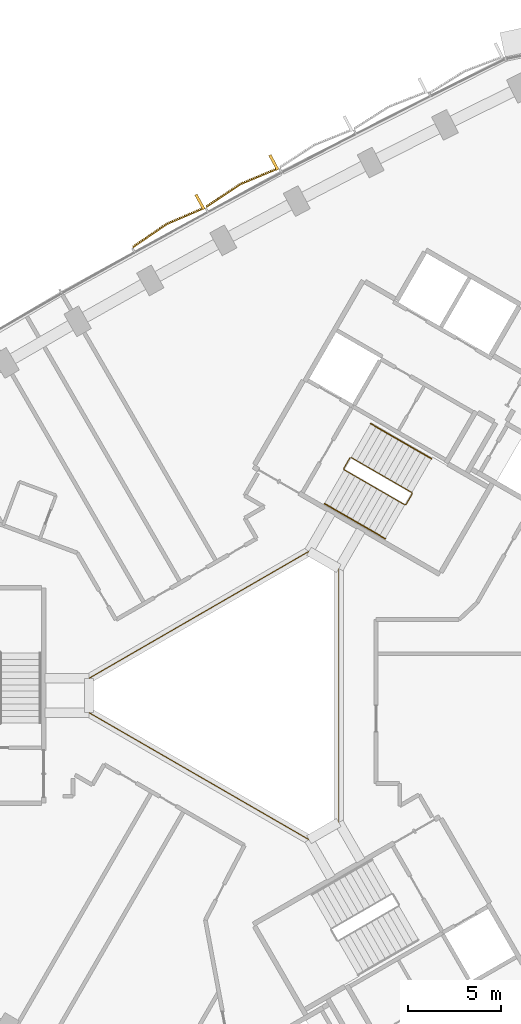
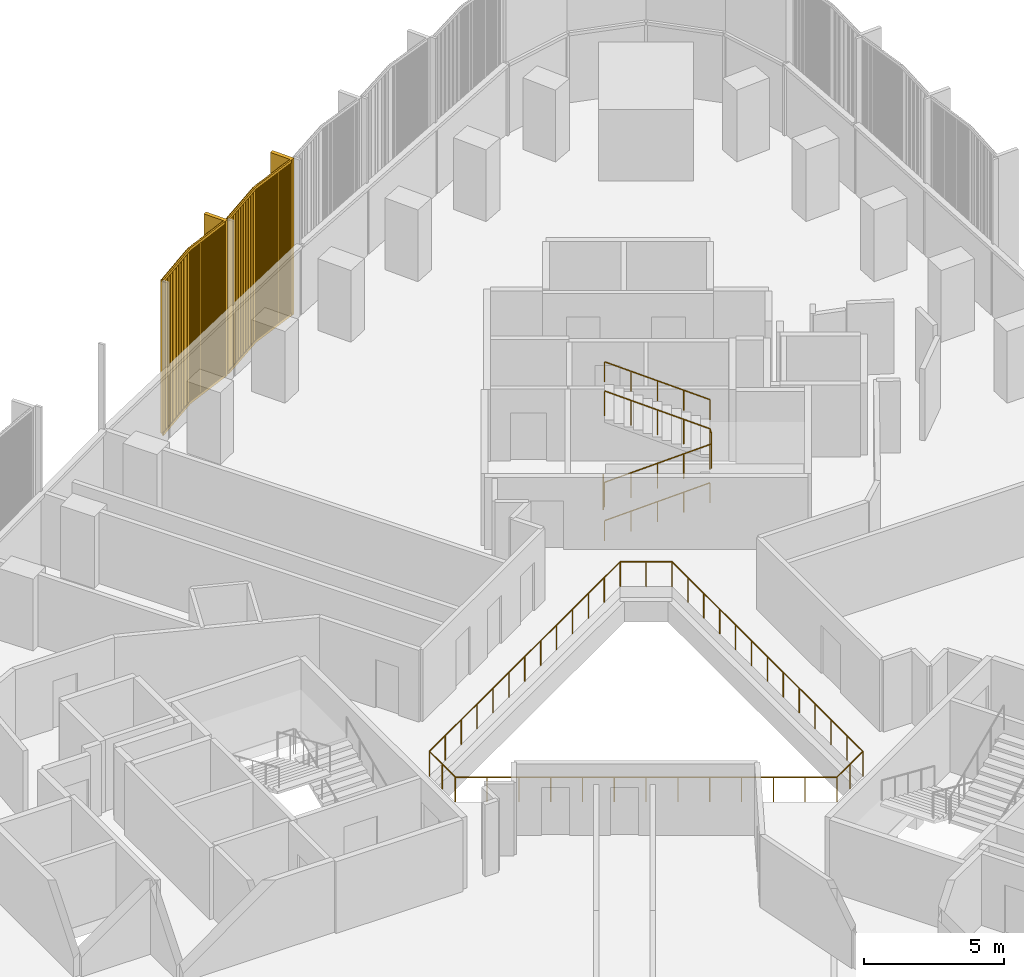
# One storey, part 14 of 15: 4 railings, 2 coverings.
"""IFC4 building model written with IfcOpenShell, lengths in metres."""

from ifc_helpers import new_model, si_unit, direction, frame, frame_2d, origin, origin_2d, place, context, subcontext, project, spatial, rectangle, circle, extrude, source, transform, mapped, material, type_object, element, save


model = new_model("IFC4")

# Units and contexts
model_context = context("Model", 3, precision=1e-05, world=origin(), true_north=direction((0.0, 1.0)))
body_context = subcontext(model_context, "Body", "Model", "MODEL_VIEW")
ifc_project = project(units=[si_unit("LENGTHUNIT", "METRE"), si_unit("AREAUNIT", "SQUARE_METRE"), si_unit("VOLUMEUNIT", "CUBIC_METRE"), si_unit("PLANEANGLEUNIT", "RADIAN"), si_unit("MASSUNIT", "GRAM", prefix="KILO")], contexts=[model_context])

# Site, building, storey
site_placement = place(None, origin())
site = spatial("IfcSite", under=ifc_project, at=site_placement, CompositionType="ELEMENT")
building_placement = place(site_placement, origin())
building = spatial("IfcBuilding", under=site, at=building_placement, Name="Tamra Quay Hotel Tower", CompositionType="ELEMENT")
storey_placement = place(building_placement, frame((0.0, 0.0, 67.39990234375)))
storey = spatial("IfcBuildingStorey", under=building, at=storey_placement, Name="L15", CompositionType="ELEMENT", Elevation=67.39990234375)

# Railings
ifc_material_1 = material(Name="Guard atrium edge 1100")
railing_type_1 = type_object("IfcRailingType", Name="Guard atrium edge 1100", PredefinedType="GUARDRAIL", material=ifc_material_1)
railing_1_placement = place(storey_placement, frame((5.0, -6.81298828125, 0.0)))
element("IfcRailing", 1, at=railing_1_placement, inside=storey, type_object=railing_type_1, Name="G-A", PredefinedType="GUARDRAIL", context=body_context, shape_type="SweptSolid", body=[
    extrude(circle(Radius=0.02392578125, at=origin_2d()), frame((0.0, 0.0, 1.076171875), z_axis=(-0.866194386982, -0.499707198227, 0.0), x_axis=(0.499707198227, -0.866194386982, 0.0)), (0.0, 0.0, 1.0), 1.84716796875),
    extrude(circle(Radius=0.02392578125, at=origin_2d()), frame((-1.60009765625, -0.923095703125, 1.076171875), z_axis=(-0.866044747976, 0.49996649338, 0.0), x_axis=(-0.49996649338, -0.866044747976, 0.0)), (0.0, 0.0, 1.0), 13.625),
    extrude(circle(Radius=0.02392578125, at=origin_2d()), frame((-13.39990234375, 5.888916015625, 1.076171875), z_axis=(0.0, 1.0, 0.0), x_axis=(-1.0, 0.0, 0.0)), (0.0, 0.0, 1.0), 1.84814453125),
    extrude(circle(Radius=0.02392578125, at=origin_2d()), frame((-13.39990234375, 7.737060546875, 1.076171875), z_axis=(0.866044747976, 0.49996649338, 0.0), x_axis=(-0.49996649338, 0.866044747976, 0.0)), (0.0, 0.0, 1.0), 13.625),
    extrude(circle(Radius=0.02392578125, at=origin_2d()), frame((-1.60009765625, 14.549072265625, 1.076171875), z_axis=(0.866194386982, -0.499707198227, 0.0), x_axis=(0.499707198227, 0.866194386982, 0.0)), (0.0, 0.0, 1.0), 1.84716796875),
    extrude(circle(Radius=0.02392578125, at=origin_2d()), frame((0.0, 13.6259765625, 1.076171875), z_axis=(0.0, -1.0, 0.0), x_axis=(1.0, 0.0, 0.0)), (0.0, 0.0, 1.0), 13.6259765625),
    extrude(circle(Radius=0.02099609375, at=origin_2d()), origin(), (0.0, 0.0, 1.0), 1.052001953125),
    extrude(circle(Radius=0.02099609375, at=origin_2d()), frame((-0.800048828125, -0.46142578125, 0.0)), (0.0, 0.0, 1.0), 1.052001953125),
    extrude(circle(Radius=0.02099609375, at=origin_2d()), frame((-1.60009765625, -0.923095703125, 0.0)), (0.0, 0.0, 1.0), 1.052001953125),
    extrude(circle(Radius=0.02099609375, at=origin_2d()), frame((-2.58349609375, -0.35546875, 0.0)), (0.0, 0.0, 1.0), 1.052001953125),
    extrude(circle(Radius=0.02099609375, at=origin_2d()), frame((-3.566650390625, 0.212158203125, 0.0)), (0.0, 0.0, 1.0), 1.052001953125),
    extrude(circle(Radius=0.02099609375, at=origin_2d()), frame((-4.550048828125, 0.77978515625, 0.0)), (0.0, 0.0, 1.0), 1.052001953125),
    extrude(circle(Radius=0.02099609375, at=origin_2d()), frame((-5.533447265625, 1.34765625, 0.0)), (0.0, 0.0, 1.0), 1.052001953125),
    extrude(circle(Radius=0.02099609375, at=origin_2d()), frame((-6.5166015625, 1.915283203125, 0.0)), (0.0, 0.0, 1.0), 1.052001953125),
    extrude(circle(Radius=0.02099609375, at=origin_2d()), frame((-7.5, 2.48291015625, 0.0)), (0.0, 0.0, 1.0), 1.052001953125),
    extrude(circle(Radius=0.02099609375, at=origin_2d()), frame((-8.4833984375, 3.050537109375, 0.0)), (0.0, 0.0, 1.0), 1.052001953125),
    extrude(circle(Radius=0.02099609375, at=origin_2d()), frame((-9.466552734375, 3.6181640625, 0.0)), (0.0, 0.0, 1.0), 1.052001953125),
    extrude(circle(Radius=0.02099609375, at=origin_2d()), frame((-10.449951171875, 4.18603515625, 0.0)), (0.0, 0.0, 1.0), 1.052001953125),
    extrude(circle(Radius=0.02099609375, at=origin_2d()), frame((-11.433349609375, 4.753662109375, 0.0)), (0.0, 0.0, 1.0), 1.052001953125),
    extrude(circle(Radius=0.02099609375, at=origin_2d()), frame((-12.41650390625, 5.3212890625, 0.0)), (0.0, 0.0, 1.0), 1.052001953125),
    extrude(circle(Radius=0.02099609375, at=origin_2d()), frame((-13.39990234375, 5.888916015625, 0.0)), (0.0, 0.0, 1.0), 1.052001953125),
    extrude(circle(Radius=0.02099609375, at=origin_2d()), frame((-13.39990234375, 6.81298828125, 0.0)), (0.0, 0.0, 1.0), 1.052001953125),
    extrude(circle(Radius=0.02099609375, at=origin_2d()), frame((-13.39990234375, 7.737060546875, 0.0)), (0.0, 0.0, 1.0), 1.052001953125),
    extrude(circle(Radius=0.02099609375, at=origin_2d()), frame((-12.41650390625, 8.3046875, 0.0)), (0.0, 0.0, 1.0), 1.052001953125),
    extrude(circle(Radius=0.02099609375, at=origin_2d()), frame((-11.433349609375, 8.872314453125, 0.0)), (0.0, 0.0, 1.0), 1.052001953125),
    extrude(circle(Radius=0.02099609375, at=origin_2d()), frame((-10.449951171875, 9.43994140625, 0.0)), (0.0, 0.0, 1.0), 1.052001953125),
    extrude(circle(Radius=0.02099609375, at=origin_2d()), frame((-9.466552734375, 10.0078125, 0.0)), (0.0, 0.0, 1.0), 1.052001953125),
    extrude(circle(Radius=0.02099609375, at=origin_2d()), frame((-8.4833984375, 10.575439453125, 0.0)), (0.0, 0.0, 1.0), 1.052001953125),
    extrude(circle(Radius=0.02099609375, at=origin_2d()), frame((-7.5, 11.14306640625, 0.0)), (0.0, 0.0, 1.0), 1.052001953125),
    extrude(circle(Radius=0.02099609375, at=origin_2d()), frame((-6.5166015625, 11.710693359375, 0.0)), (0.0, 0.0, 1.0), 1.052001953125),
    extrude(circle(Radius=0.02099609375, at=origin_2d()), frame((-5.533447265625, 12.2783203125, 0.0)), (0.0, 0.0, 1.0), 1.052001953125),
    extrude(circle(Radius=0.02099609375, at=origin_2d()), frame((-4.550048828125, 12.84619140625, 0.0)), (0.0, 0.0, 1.0), 1.052001953125),
    extrude(circle(Radius=0.02099609375, at=origin_2d()), frame((-3.566650390625, 13.413818359375, 0.0)), (0.0, 0.0, 1.0), 1.052001953125),
    extrude(circle(Radius=0.02099609375, at=origin_2d()), frame((-2.58349609375, 13.9814453125, 0.0)), (0.0, 0.0, 1.0), 1.052001953125),
    extrude(circle(Radius=0.02099609375, at=origin_2d()), frame((-1.60009765625, 14.549072265625, 0.0)), (0.0, 0.0, 1.0), 1.052001953125),
    extrude(circle(Radius=0.02099609375, at=origin_2d()), frame((-0.800048828125, 14.08740234375, 0.0)), (0.0, 0.0, 1.0), 1.052001953125),
    extrude(circle(Radius=0.02099609375, at=origin_2d()), frame((0.0, 13.6259765625, 0.0)), (0.0, 0.0, 1.0), 1.052001953125),
    extrude(circle(Radius=0.02099609375, at=origin_2d()), frame((0.0, 12.490478515625, 0.0)), (0.0, 0.0, 1.0), 1.052001953125),
    extrude(circle(Radius=0.02099609375, at=origin_2d()), frame((0.0, 11.35498046875, 0.0)), (0.0, 0.0, 1.0), 1.052001953125),
    extrude(circle(Radius=0.02099609375, at=origin_2d()), frame((0.0, 10.219482421875, 0.0)), (0.0, 0.0, 1.0), 1.052001953125),
    extrude(circle(Radius=0.02099609375, at=origin_2d()), frame((0.0, 9.083984375, 0.0)), (0.0, 0.0, 1.0), 1.052001953125),
    extrude(circle(Radius=0.02099609375, at=origin_2d()), frame((0.0, 7.948486328125, 0.0)), (0.0, 0.0, 1.0), 1.052001953125),
    extrude(circle(Radius=0.02099609375, at=origin_2d()), frame((0.0, 6.81298828125, 0.0)), (0.0, 0.0, 1.0), 1.052001953125),
    extrude(circle(Radius=0.02099609375, at=origin_2d()), frame((0.0, 5.677490234375, 0.0)), (0.0, 0.0, 1.0), 1.052001953125),
    extrude(circle(Radius=0.02099609375, at=origin_2d()), frame((0.0, 4.5419921875, 0.0)), (0.0, 0.0, 1.0), 1.052001953125),
    extrude(circle(Radius=0.02099609375, at=origin_2d()), frame((0.0, 3.406494140625, 0.0)), (0.0, 0.0, 1.0), 1.052001953125),
    extrude(circle(Radius=0.02099609375, at=origin_2d()), frame((0.0, 2.27099609375, 0.0)), (0.0, 0.0, 1.0), 1.052001953125),
    extrude(circle(Radius=0.02099609375, at=origin_2d()), frame((0.0, 1.135498046875, 0.0)), (0.0, 0.0, 1.0), 1.052001953125),
])
ifc_material_2 = material(Name="Stair guard 1100")
railing_type_2 = type_object("IfcRailingType", Name="Stair guard 1100", PredefinedType="GUARDRAIL", material=ifc_material_2)
railing_2_placement = place(storey_placement, frame((5.595458984375, 12.751953125, 0.0)))
element("IfcRailing", 2, at=railing_2_placement, inside=storey, type_object=railing_type_2, Name="GR", PredefinedType="GUARDRAIL", context=body_context, shape_type="SweptSolid", body=[
    extrude(circle(Radius=0.02392578125, at=origin_2d()), frame((0.0, 0.0, 1.076171875), z_axis=(-0.499765215335, -0.866160914346, 0.0), x_axis=(0.866160914346, -0.499765215335, 0.0)), (0.0, 0.0, 1.0), 0.658935546875),
    extrude(circle(Radius=0.02392578125, at=origin_2d()), frame((-0.329345703125, -0.57080078125, 1.076171875), z_axis=(0.110378772244, -0.410609032747, 0.905105932399), x_axis=(0.965715946433, 0.259601060869, 0.0)), (0.0, 0.0, 1.0), 0.165771484375),
    extrude(circle(Radius=0.02392578125, at=origin_2d()), frame((-0.31103515625, -0.638916015625, 1.22607421875), z_axis=(0.793078462799, -0.457933869594, 0.401650498471), x_axis=(0.500040788363, 0.866001853331, 0.0)), (0.0, 0.0, 1.0), 4.10791015625),
    extrude(circle(Radius=0.02392578125, at=origin_2d()), frame((2.94677734375, -2.52001953125, 2.8759765625), z_axis=(0.965948051503, 0.258736085224, 0.0), x_axis=(-0.258736085224, 0.965948051503, 0.0)), (0.0, 0.0, 1.0), 0.07080078125),
    extrude(circle(Radius=0.02392578125, at=origin_2d()), frame((3.01513671875, -2.501708984375, 2.8759765625), z_axis=(0.500043078269, 0.866000531106, 0.0), x_axis=(-0.866000531106, 0.500043078269, 0.0)), (0.0, 0.0, 1.0), 0.6591796875),
    extrude(circle(Radius=0.02392578125, at=origin_2d()), frame((3.3447265625, -1.930908203125, 2.8759765625), z_axis=(-0.110378772244, 0.410609032747, 0.905105932399), x_axis=(-0.965715946433, -0.259601060869, 0.0)), (0.0, 0.0, 1.0), 0.165771484375),
    extrude(circle(Radius=0.02392578125, at=origin_2d()), frame((3.326416015625, -1.86279296875, 3.0263671875), z_axis=(-0.793100512587, 0.457912285461, 0.401631567183), x_axis=(-0.500012686397, -0.866018079166, 0.0)), (0.0, 0.0, 1.0), 4.10791015625),
    extrude(circle(Radius=0.02099609375, at=origin_2d()), origin(), (0.0, 0.0, 1.0), 1.052001953125),
    extrude(circle(Radius=0.02099609375, at=origin_2d()), frame((-0.329345703125, -0.57080078125, 0.0)), (0.0, 0.0, 1.0), 1.052001953125),
    extrude(circle(Radius=0.02099609375, at=origin_2d()), frame((-0.31103515625, -0.638916015625, 0.150146484375)), (0.0, 0.0, 1.0), 1.052001953125),
    extrude(circle(Radius=0.02099609375, at=origin_2d()), frame((0.50341796875, -1.109130859375, 0.5625)), (0.0, 0.0, 1.0), 1.052001953125),
    extrude(circle(Radius=0.02099609375, at=origin_2d()), frame((1.31787109375, -1.57958984375, 0.97509765625)), (0.0, 0.0, 1.0), 1.052001953125),
    extrude(circle(Radius=0.02099609375, at=origin_2d()), frame((2.13232421875, -2.0498046875, 1.3876953125)), (0.0, 0.0, 1.0), 1.052001953125),
    extrude(circle(Radius=0.02099609375, at=origin_2d()), frame((2.94677734375, -2.52001953125, 1.800048828125)), (0.0, 0.0, 1.0), 1.052001953125),
    extrude(circle(Radius=0.02099609375, at=origin_2d()), frame((3.01513671875, -2.501708984375, 1.800048828125)), (0.0, 0.0, 1.0), 1.052001953125),
    extrude(circle(Radius=0.02099609375, at=origin_2d()), frame((3.3447265625, -1.930908203125, 1.800048828125)), (0.0, 0.0, 1.0), 1.052001953125),
    extrude(circle(Radius=0.02099609375, at=origin_2d()), frame((3.326416015625, -1.86279296875, 1.9501953125)), (0.0, 0.0, 1.0), 1.052001953125),
    extrude(circle(Radius=0.02099609375, at=origin_2d()), frame((2.511962890625, -1.392578125, 2.36279296875)), (0.0, 0.0, 1.0), 1.052001953125),
    extrude(circle(Radius=0.02099609375, at=origin_2d()), frame((1.697265625, -0.92236328125, 2.775146484375)), (0.0, 0.0, 1.0), 1.052001953125),
    extrude(circle(Radius=0.02099609375, at=origin_2d()), frame((0.8828125, -0.451904296875, 3.1875)), (0.0, 0.0, 1.0), 1.052001953125),
    extrude(circle(Radius=0.02099609375, at=origin_2d()), frame((0.068359375, 0.018310546875, 3.60009765625)), (0.0, 0.0, 1.0), 1.052001953125),
])
ifc_material_3 = material(Name="Stair handrail 900")
railing_type_3 = type_object("IfcRailingType", Name="Stair handrail 900", PredefinedType="HANDRAIL", material=ifc_material_3)
railing_3_placement = place(storey_placement, frame((4.234375, 10.294189453125, 0.150146484375)))
element("IfcRailing", 3, at=railing_3_placement, inside=storey, type_object=railing_type_3, Name="HR", PredefinedType="HANDRAIL", context=body_context, shape_type="SweptSolid", body=[
    extrude(circle(Radius=0.02392578125, at=origin_2d()), frame((0.0, 0.0, 0.8759765625), z_axis=(0.793122095483, -0.45786531462, 0.401642496911), x_axis=(0.499964013922, 0.86604617936, 0.0)), (0.0, 0.0, 1.0), 4.10791015625),
    extrude(circle(Radius=0.02099609375, at=origin_2d()), origin(), (0.0, 0.0, 1.0), 0.851806640625),
    extrude(circle(Radius=0.02099609375, at=origin_2d()), frame((0.814453125, -0.47021484375, 0.41259765625)), (0.0, 0.0, 1.0), 0.851806640625),
    extrude(circle(Radius=0.02099609375, at=origin_2d()), frame((1.62890625, -0.9404296875, 0.824951171875)), (0.0, 0.0, 1.0), 0.851806640625),
    extrude(circle(Radius=0.02099609375, at=origin_2d()), frame((2.443603515625, -1.41064453125, 1.2373046875)), (0.0, 0.0, 1.0), 0.851806640625),
    extrude(circle(Radius=0.02099609375, at=origin_2d()), frame((3.258056640625, -1.880859375, 1.64990234375)), (0.0, 0.0, 1.0), 0.851806640625),
])
railing_4_placement = place(storey_placement, frame((9.971923828125, 12.7080078125, 1.9501953125)))
element("IfcRailing", 4, at=railing_4_placement, inside=storey, type_object=railing_type_3, Name="HR", PredefinedType="HANDRAIL", context=body_context, shape_type="SweptSolid", body=[
    extrude(circle(Radius=0.02392578125, at=origin_2d()), frame((0.0, 0.0, 0.8759765625), z_axis=(-0.793122095483, 0.45786531462, 0.401642496911), x_axis=(-0.499964013922, -0.86604617936, 0.0)), (0.0, 0.0, 1.0), 4.10791015625),
    extrude(circle(Radius=0.02099609375, at=origin_2d()), origin(), (0.0, 0.0, 1.0), 0.851806640625),
    extrude(circle(Radius=0.02099609375, at=origin_2d()), frame((-0.814453125, 0.47021484375, 0.41259765625)), (0.0, 0.0, 1.0), 0.851806640625),
    extrude(circle(Radius=0.02099609375, at=origin_2d()), frame((-1.62890625, 0.9404296875, 0.824951171875)), (0.0, 0.0, 1.0), 0.851806640625),
    extrude(circle(Radius=0.02099609375, at=origin_2d()), frame((-2.443603515625, 1.41064453125, 1.2373046875)), (0.0, 0.0, 1.0), 0.851806640625),
    extrude(circle(Radius=0.02099609375, at=origin_2d()), frame((-3.258056640625, 1.880859375, 1.64990234375)), (0.0, 0.0, 1.0), 0.851806640625),
])

# Coverings
ifc_material_4 = material(Name="Terracotta baguette extruded", Category="masonry")
covering_type = type_object("IfcCoveringType", Name="BAGUETTE SCREEN NW-V H6800", PredefinedType="USERDEFINED", material=ifc_material_4)
shared_shape = source(origin(), body_context, "Body", "SweptSolid", [
    extrude(rectangle(XDim=2.212646484375, YDim=0.06005859375, at=frame_2d((1.1064453125, 0.030029296875))), frame((-2.208251953125, -0.0576171875, -0.1201171875), z_axis=(0.0, 0.0, 1.0), x_axis=(0.995396198367, -0.09584575252, 0.0)), (0.0, 0.0, 1.0), 0.1201171875),
    extrude(rectangle(XDim=2.212646484375, YDim=0.06005859375, at=frame_2d((1.1064453125, 0.030029296875))), frame((-2.208251953125, -0.0576171875, -6.800048828125), z_axis=(0.0, 0.0, 1.0), x_axis=(0.995396198367, -0.09584575252, 0.0)), (0.0, 0.0, 1.0), 0.1201171875),
    extrude(rectangle(XDim=0.070068359375, YDim=0.10009765625, at=frame_2d((0.03515625, 0.050048828125))), frame((-2.1875, -0.1328125, -6.739990234375)), (0.0, 0.0, 1.0), 6.679931640625),
    extrude(rectangle(XDim=0.070068359375, YDim=0.10009765625, at=frame_2d((0.03515625, 0.050048828125))), frame((-2.08740234375, -0.142578125, -6.739990234375)), (0.0, 0.0, 1.0), 6.679931640625),
    extrude(rectangle(XDim=0.070068359375, YDim=0.10009765625, at=frame_2d((0.03515625, 0.050048828125))), frame((-1.9873046875, -0.152099609375, -6.739990234375)), (0.0, 0.0, 1.0), 6.679931640625),
    extrude(rectangle(XDim=0.070068359375, YDim=0.10009765625, at=frame_2d((0.03515625, 0.050048828125))), frame((-1.88720703125, -0.16162109375, -6.739990234375)), (0.0, 0.0, 1.0), 6.679931640625),
    extrude(rectangle(XDim=0.070068359375, YDim=0.10009765625, at=frame_2d((0.03515625, 0.050048828125))), frame((-1.787109375, -0.17138671875, -6.739990234375)), (0.0, 0.0, 1.0), 6.679931640625),
    extrude(rectangle(XDim=0.070068359375, YDim=0.10009765625, at=frame_2d((0.03515625, 0.050048828125))), frame((-1.686767578125, -0.180908203125, -6.739990234375)), (0.0, 0.0, 1.0), 6.679931640625),
    extrude(rectangle(XDim=0.070068359375, YDim=0.10009765625, at=frame_2d((0.03515625, 0.050048828125))), frame((-1.586669921875, -0.190673828125, -6.739990234375)), (0.0, 0.0, 1.0), 6.679931640625),
    extrude(rectangle(XDim=0.070068359375, YDim=0.10009765625, at=frame_2d((0.03515625, 0.050048828125))), frame((-1.486572265625, -0.2001953125, -6.739990234375)), (0.0, 0.0, 1.0), 6.679931640625),
    extrude(rectangle(XDim=0.070068359375, YDim=0.10009765625, at=frame_2d((0.03515625, 0.050048828125))), frame((-1.386474609375, -0.2099609375, -6.739990234375)), (0.0, 0.0, 1.0), 6.679931640625),
    extrude(rectangle(XDim=0.070068359375, YDim=0.10009765625, at=frame_2d((0.03515625, 0.050048828125))), frame((-1.286376953125, -0.219482421875, -6.739990234375)), (0.0, 0.0, 1.0), 6.679931640625),
    extrude(rectangle(XDim=0.070068359375, YDim=0.10009765625, at=frame_2d((0.03515625, 0.050048828125))), frame((-1.186279296875, -0.229248046875, -6.739990234375)), (0.0, 0.0, 1.0), 6.679931640625),
    extrude(rectangle(XDim=0.070068359375, YDim=0.10009765625, at=frame_2d((0.03515625, 0.050048828125))), frame((-1.086181640625, -0.23876953125, -6.739990234375)), (0.0, 0.0, 1.0), 6.679931640625),
    extrude(rectangle(XDim=0.070068359375, YDim=0.10009765625, at=frame_2d((0.03515625, 0.050048828125))), frame((-0.986083984375, -0.24853515625, -6.739990234375)), (0.0, 0.0, 1.0), 6.679931640625),
    extrude(rectangle(XDim=0.070068359375, YDim=0.10009765625, at=frame_2d((0.03515625, 0.050048828125))), frame((-0.885986328125, -0.258056640625, -6.739990234375)), (0.0, 0.0, 1.0), 6.679931640625),
    extrude(rectangle(XDim=0.070068359375, YDim=0.10009765625, at=frame_2d((0.03515625, 0.050048828125))), frame((-0.785888671875, -0.267822265625, -6.739990234375)), (0.0, 0.0, 1.0), 6.679931640625),
    extrude(rectangle(XDim=0.070068359375, YDim=0.10009765625, at=frame_2d((0.03515625, 0.050048828125))), frame((-0.685791015625, -0.27734375, -6.739990234375)), (0.0, 0.0, 1.0), 6.679931640625),
    extrude(rectangle(XDim=0.070068359375, YDim=0.10009765625, at=frame_2d((0.03515625, 0.050048828125))), frame((-0.585693359375, -0.287109375, -6.739990234375)), (0.0, 0.0, 1.0), 6.679931640625),
    extrude(rectangle(XDim=0.070068359375, YDim=0.10009765625, at=frame_2d((0.03515625, 0.050048828125))), frame((-0.485595703125, -0.296630859375, -6.739990234375)), (0.0, 0.0, 1.0), 6.679931640625),
    extrude(rectangle(XDim=0.070068359375, YDim=0.10009765625, at=frame_2d((0.03515625, 0.050048828125))), frame((-0.385498046875, -0.306396484375, -6.739990234375)), (0.0, 0.0, 1.0), 6.679931640625),
    extrude(rectangle(XDim=0.070068359375, YDim=0.10009765625, at=frame_2d((0.03515625, 0.050048828125))), frame((-0.285400390625, -0.31591796875, -6.739990234375)), (0.0, 0.0, 1.0), 6.679931640625),
    extrude(rectangle(XDim=0.070068359375, YDim=0.10009765625, at=frame_2d((0.03515625, 0.050048828125))), frame((-0.18505859375, -0.32568359375, -6.739990234375)), (0.0, 0.0, 1.0), 6.679931640625),
    extrude(rectangle(XDim=0.070068359375, YDim=0.10009765625, at=frame_2d((0.03515625, 0.050048828125))), frame((-0.0849609375, -0.335205078125, -6.739990234375)), (0.0, 0.0, 1.0), 6.679931640625),
    extrude(rectangle(XDim=2.212646484375, YDim=0.06005859375, at=frame_2d((1.1064453125, 0.030029296875))), frame((0.005859375, -0.269775390625, -0.1201171875), z_axis=(0.0, 0.0, 1.0), x_axis=(0.995396198367, 0.09584575252, 0.0)), (0.0, 0.0, 1.0), 0.1201171875),
    extrude(rectangle(XDim=2.212646484375, YDim=0.06005859375, at=frame_2d((1.1064453125, 0.030029296875))), frame((0.005859375, -0.269775390625, -6.800048828125), z_axis=(0.0, 0.0, 1.0), x_axis=(0.995396198367, 0.09584575252, 0.0)), (0.0, 0.0, 1.0), 0.1201171875),
    extrude(rectangle(XDim=0.070068359375, YDim=0.10009765625, at=frame_2d((0.03515625, 0.050048828125))), frame((0.01513671875, -0.335205078125, -6.739990234375)), (0.0, 0.0, 1.0), 6.679931640625),
    extrude(rectangle(XDim=0.070068359375, YDim=0.10009765625, at=frame_2d((0.03515625, 0.050048828125))), frame((0.115234375, -0.32568359375, -6.739990234375)), (0.0, 0.0, 1.0), 6.679931640625),
    extrude(rectangle(XDim=0.070068359375, YDim=0.10009765625, at=frame_2d((0.03515625, 0.050048828125))), frame((0.21533203125, -0.31591796875, -6.739990234375)), (0.0, 0.0, 1.0), 6.679931640625),
    extrude(rectangle(XDim=0.070068359375, YDim=0.10009765625, at=frame_2d((0.03515625, 0.050048828125))), frame((0.3154296875, -0.306396484375, -6.739990234375)), (0.0, 0.0, 1.0), 6.679931640625),
    extrude(rectangle(XDim=0.070068359375, YDim=0.10009765625, at=frame_2d((0.03515625, 0.050048828125))), frame((0.41552734375, -0.296630859375, -6.739990234375)), (0.0, 0.0, 1.0), 6.679931640625),
    extrude(rectangle(XDim=0.070068359375, YDim=0.10009765625, at=frame_2d((0.03515625, 0.050048828125))), frame((0.515625, -0.287109375, -6.739990234375)), (0.0, 0.0, 1.0), 6.679931640625),
    extrude(rectangle(XDim=0.070068359375, YDim=0.10009765625, at=frame_2d((0.03515625, 0.050048828125))), frame((0.61572265625, -0.27734375, -6.739990234375)), (0.0, 0.0, 1.0), 6.679931640625),
    extrude(rectangle(XDim=0.070068359375, YDim=0.10009765625, at=frame_2d((0.03515625, 0.050048828125))), frame((0.7158203125, -0.267822265625, -6.739990234375)), (0.0, 0.0, 1.0), 6.679931640625),
    extrude(rectangle(XDim=0.070068359375, YDim=0.10009765625, at=frame_2d((0.03515625, 0.050048828125))), frame((0.81591796875, -0.258056640625, -6.739990234375)), (0.0, 0.0, 1.0), 6.679931640625),
    extrude(rectangle(XDim=0.070068359375, YDim=0.10009765625, at=frame_2d((0.03515625, 0.050048828125))), frame((0.916015625, -0.24853515625, -6.739990234375)), (0.0, 0.0, 1.0), 6.679931640625),
    extrude(rectangle(XDim=0.070068359375, YDim=0.10009765625, at=frame_2d((0.03515625, 0.050048828125))), frame((1.01611328125, -0.23876953125, -6.739990234375)), (0.0, 0.0, 1.0), 6.679931640625),
    extrude(rectangle(XDim=0.070068359375, YDim=0.10009765625, at=frame_2d((0.03515625, 0.050048828125))), frame((1.1162109375, -0.229248046875, -6.739990234375)), (0.0, 0.0, 1.0), 6.679931640625),
    extrude(rectangle(XDim=0.070068359375, YDim=0.10009765625, at=frame_2d((0.03515625, 0.050048828125))), frame((1.21630859375, -0.219482421875, -6.739990234375)), (0.0, 0.0, 1.0), 6.679931640625),
    extrude(rectangle(XDim=0.070068359375, YDim=0.10009765625, at=frame_2d((0.03515625, 0.050048828125))), frame((1.316650390625, -0.2099609375, -6.739990234375)), (0.0, 0.0, 1.0), 6.679931640625),
    extrude(rectangle(XDim=0.070068359375, YDim=0.10009765625, at=frame_2d((0.03515625, 0.050048828125))), frame((1.416748046875, -0.2001953125, -6.739990234375)), (0.0, 0.0, 1.0), 6.679931640625),
    extrude(rectangle(XDim=0.070068359375, YDim=0.10009765625, at=frame_2d((0.03515625, 0.050048828125))), frame((1.516845703125, -0.190673828125, -6.739990234375)), (0.0, 0.0, 1.0), 6.679931640625),
    extrude(rectangle(XDim=0.070068359375, YDim=0.10009765625, at=frame_2d((0.03515625, 0.050048828125))), frame((1.616943359375, -0.180908203125, -6.739990234375)), (0.0, 0.0, 1.0), 6.679931640625),
    extrude(rectangle(XDim=0.070068359375, YDim=0.10009765625, at=frame_2d((0.03515625, 0.050048828125))), frame((1.717041015625, -0.17138671875, -6.739990234375)), (0.0, 0.0, 1.0), 6.679931640625),
    extrude(rectangle(XDim=0.070068359375, YDim=0.10009765625, at=frame_2d((0.03515625, 0.050048828125))), frame((1.817138671875, -0.16162109375, -6.739990234375)), (0.0, 0.0, 1.0), 6.679931640625),
    extrude(rectangle(XDim=0.070068359375, YDim=0.10009765625, at=frame_2d((0.03515625, 0.050048828125))), frame((1.917236328125, -0.152099609375, -6.739990234375)), (0.0, 0.0, 1.0), 6.679931640625),
    extrude(rectangle(XDim=0.070068359375, YDim=0.10009765625, at=frame_2d((0.03515625, 0.050048828125))), frame((2.017333984375, -0.142578125, -6.739990234375)), (0.0, 0.0, 1.0), 6.679931640625),
    extrude(rectangle(XDim=0.070068359375, YDim=0.10009765625, at=frame_2d((0.03515625, 0.050048828125))), frame((2.117431640625, -0.1328125, -6.739990234375)), (0.0, 0.0, 1.0), 6.679931640625),
    extrude(rectangle(XDim=0.14990234375, YDim=0.902099609375, at=frame_2d((0.074951171875, 0.451171875))), frame((-2.202392578125, -0.89990234375, -6.800048828125)), (0.0, 0.0, 1.0), 6.800048828125),
])
for number, where, z_axis, x_axis, name in (
    (5, (-0.1513671875, 27.206787109375, 6.800048828125), (0.0, 0.0, 1.0), (-0.88180596184, -0.471612389218, 0.0), "Baguette screen L15.NW.f03"),
    (6, (-4.1005859375, 25.067138671875, 6.800048828125), (0.0, 0.0, 1.0), (-0.876651100562, -0.48112664433, 0.0), "Baguette screen L15.NW.f04"),
):
    element("IfcCovering", number, at=place(storey_placement, frame(where, z_axis=z_axis, x_axis=x_axis)), inside=storey, type_object=covering_type, Name=name, ObjectType="BAGUETTE SCREEN", PredefinedType="USERDEFINED", context=body_context, shape_type="MappedRepresentation", body=[
        mapped(shared_shape, transform((0.0, 0.0, 0.0), scale=1.0)),
    ])

save(model, "model.ifc")
